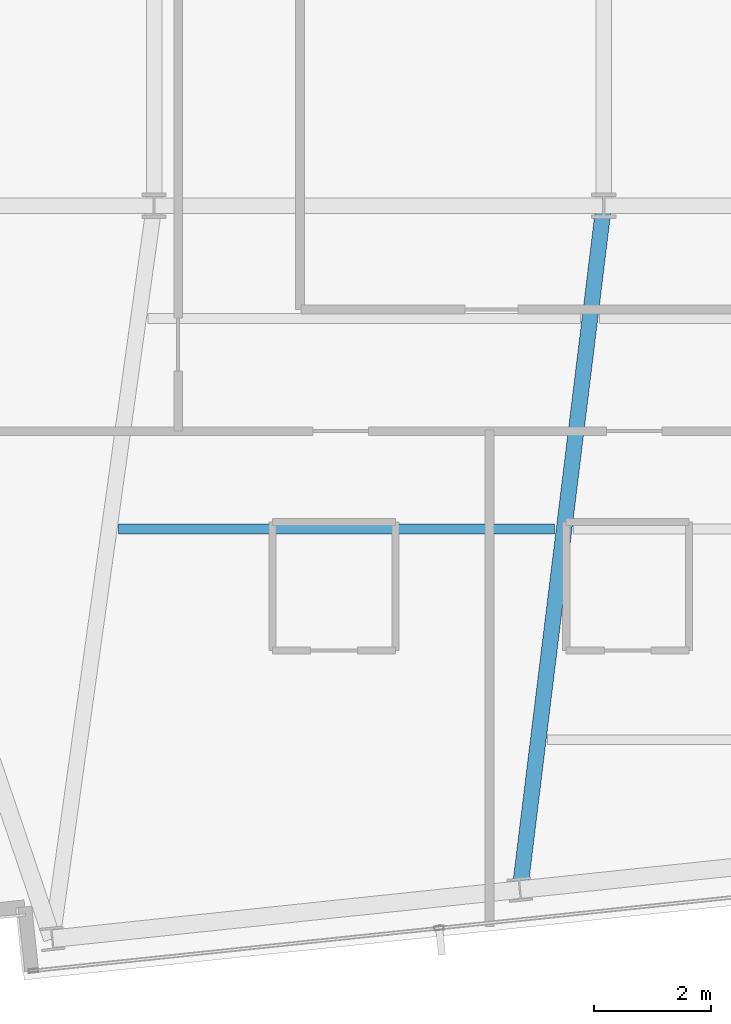
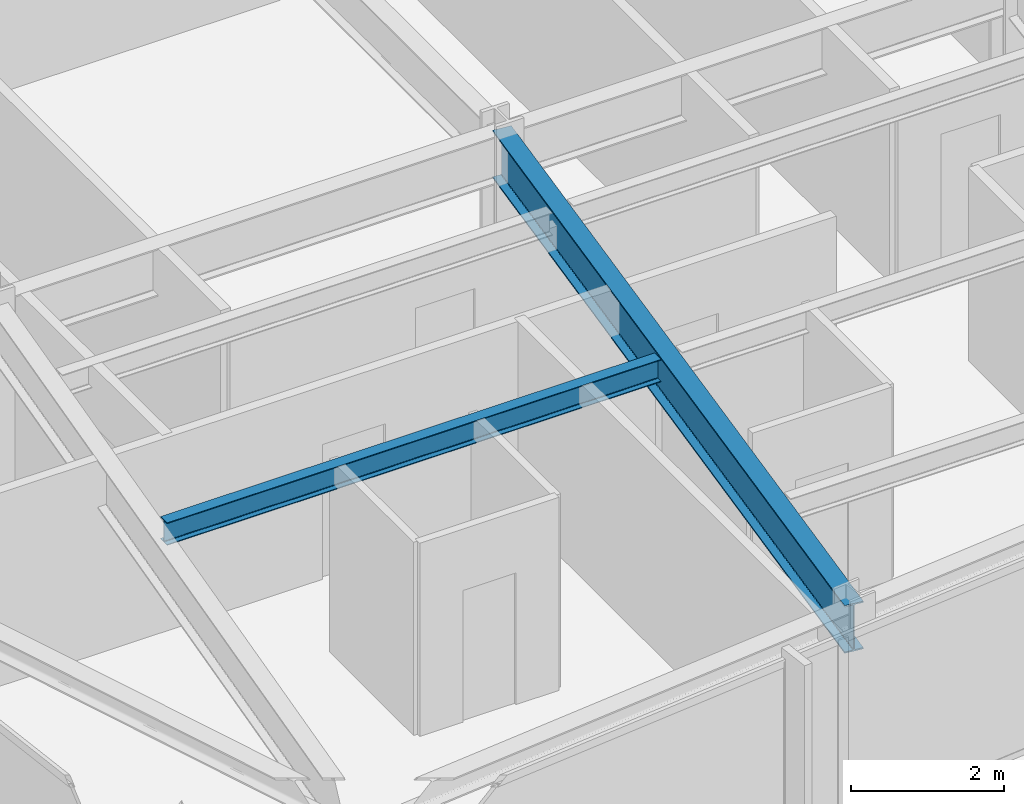
# One storey, part 4 of 33: 2 beams.
"""IFC4 building model written with IfcOpenShell, lengths in metres."""

import ifcopenshell
import ifcopenshell.guid

model = None  # the IFC model being written
_history = None  # IfcOwnerHistory: only IFC2X3 demands one
_inside = {}  # id of a spatial element -> (the spatial element, [elements in it])
_under = {}  # id of a project, library or spatial element -> (it, [spatial elements below it])
_declared = {}  # id of a project -> (the project, [libraries it declares])
_typed = {}  # id of a type object -> (the type object, [elements of that type])
_made_of = {}  # id of a material, layer set ... -> (it, [elements and type objects made of it])


def new_model(schema):
    """Start an empty IFC model of exactly this schema.

    Asked for "IFC4X3", IfcOpenShell would pick the latest addendum, in which some entities
    have other attributes; the version numbers below select the first issue.
    IFC2X3 requires an IfcOwnerHistory on every rooted entity: one is made here for all.
    """
    global model, _history
    if schema == "IFC4X3":
        model = ifcopenshell.file(schema_version=(4, 3, 0, 0))
    else:
        model = ifcopenshell.file(schema=schema)
    _inside.clear()
    _under.clear()
    _declared.clear()
    _typed.clear()
    _made_of.clear()
    _history = None
    if model.schema == "IFC2X3":
        org = make("IfcOrganization", Name="unknown")
        user = make(
            "IfcPersonAndOrganization",
            ThePerson=make("IfcPerson", FamilyName="unknown"),
            TheOrganization=org,
        )
        app = make(
            "IfcApplication",
            ApplicationDeveloper=org,
            Version="unknown",
            ApplicationFullName="unknown",
            ApplicationIdentifier="unknown",
        )
        _history = make(
            "IfcOwnerHistory",
            OwningUser=user,
            OwningApplication=app,
            ChangeAction="ADDED",
            CreationDate=0,
        )
    return model


def make(cls, **values):
    """One entity of the class cls with the attributes given. An attribute that is None is left unset."""
    return model.create_entity(
        cls, **{name: value for name, value in values.items() if value is not None}
    )


def rooted(cls, **values):
    """An entity with a GlobalId (a new one), such as an element, a storey or a relation."""
    return make(cls, GlobalId=ifcopenshell.guid.new(), OwnerHistory=_history, **values)


def si_unit(unit_type, name, prefix=None):
    """IfcSIUnit, for example si_unit("LENGTHUNIT", "METRE", prefix="MILLI")."""
    return make("IfcSIUnit", UnitType=unit_type, Prefix=prefix, Name=name)


def assignment(units):
    """IfcUnitAssignment: the units of a project."""
    return None if units is None else make("IfcUnitAssignment", Units=units)


def point(xyz):
    """IfcCartesianPoint."""
    return None if xyz is None else make("IfcCartesianPoint", Coordinates=xyz)


def direction(xyz):
    """IfcDirection."""
    return None if xyz is None else make("IfcDirection", DirectionRatios=xyz)


def frame(location, z_axis=None, x_axis=None):
    """IfcAxis2Placement3D, a coordinate frame: its origin and axes. An axis left out is left unset."""
    return make(
        "IfcAxis2Placement3D",
        Location=point(location),
        Axis=direction(z_axis),
        RefDirection=direction(x_axis),
    )


def frame_2d(location, x_axis=None):
    """IfcAxis2Placement2D, a coordinate frame in the plane: its origin and x axis."""
    return make(
        "IfcAxis2Placement2D", Location=point(location), RefDirection=direction(x_axis)
    )


def origin():
    """The frame at (0, 0, 0) with its axes left unset."""
    return frame((0.0, 0.0, 0.0))


def origin_2d():
    """The frame at (0, 0) in the plane with its x axis left unset."""
    return frame_2d((0.0, 0.0))


def place(relative_to, where):
    """IfcLocalPlacement: puts the frame where relative to a parent placement (None: the world)."""
    return make(
        "IfcLocalPlacement", PlacementRelTo=relative_to, RelativePlacement=where
    )


def context(
    kind, dimensions, precision=None, world=None, true_north=None, identifier=None
):
    """IfcGeometricRepresentationContext, for example the 3D "Model" context."""
    return make(
        "IfcGeometricRepresentationContext",
        ContextIdentifier=identifier,
        ContextType=kind,
        CoordinateSpaceDimension=dimensions,
        Precision=precision,
        WorldCoordinateSystem=world,
        TrueNorth=true_north,
    )


def subcontext(parent, identifier, kind, view, scale=None):
    """IfcGeometricRepresentationSubContext, for example "Body" below "Model"."""
    return make(
        "IfcGeometricRepresentationSubContext",
        ContextIdentifier=identifier,
        ContextType=kind,
        ParentContext=parent,
        TargetScale=scale,
        TargetView=view,
    )


def project(units=None, contexts=None):
    """IfcProject with its units and contexts."""
    return rooted(
        "IfcProject",
        Name="project",
        RepresentationContexts=contexts,
        UnitsInContext=assignment(units),
    )


def spatial(cls, under=None, at=None, **own):
    """A site, building, storey or space (cls), placed at a placement, below another one or the project."""
    s = rooted(cls, ObjectPlacement=at, **own)
    if under is not None:
        _under.setdefault(under.id(), (under, []))[1].append(s)
    return s


def profile(cls, at=None, kind="AREA", **sizes):
    """A parametric profile (cls). Its sizes go by their IFC names, for example OverallWidth=200.0."""
    return make(cls, ProfileType=kind, Position=at, **sizes)


def i_section(**sizes):
    """IfcIShapeProfileDef."""
    return profile("IfcIShapeProfileDef", **sizes)


def extrude(swept, where, along, depth):
    """IfcExtrudedAreaSolid: the profile swept, set in the frame where, extruded along a direction by depth."""
    return make(
        "IfcExtrudedAreaSolid",
        SweptArea=swept,
        Position=where,
        ExtrudedDirection=direction(along),
        Depth=depth,
    )


def shape(context_of_items, identifier, shape_type, items):
    """IfcShapeRepresentation: the items that make up one representation, for example the "Body"."""
    return make(
        "IfcShapeRepresentation",
        ContextOfItems=context_of_items,
        RepresentationIdentifier=identifier,
        RepresentationType=shape_type,
        Items=items,
    )


def material(Name=None, Category=None):
    """IfcMaterial."""
    return make("IfcMaterial", Name=Name, Category=Category)


def material_profile(
    of_material, cross_section, Name=None, Category=None, Priority=None
):
    """IfcMaterialProfile: a cross section and its material."""
    return make(
        "IfcMaterialProfile",
        Name=Name,
        Material=of_material,
        Profile=cross_section,
        Priority=Priority,
        Category=Category,
    )


def profile_set(profiles, Name=None, composite=None):
    """IfcMaterialProfileSet."""
    return make(
        "IfcMaterialProfileSet",
        Name=Name,
        MaterialProfiles=profiles,
        CompositeProfile=composite,
    )


def made_of(thing, what):
    """Note that an element or type object is made of a material, layer set ...; save() writes the relation."""
    if what is not None:
        _made_of.setdefault(what.id(), (what, []))[1].append(thing)
    return thing


def type_object(cls, material=None, **own):
    """A type object (cls), such as IfcWallType, which elements share."""
    return made_of(rooted(cls, **own), material)


def element(
    cls,
    number,
    at=None,
    inside=None,
    cuts=None,
    type_object=None,
    material=None,
    context=None,
    identifier="Body",
    shape_type=None,
    held_by="IfcProductDefinitionShape",
    body=None,
    shapes=None,
    **own,
):
    """One element of the class cls, such as IfcWall. Its Tag is "e" and its number.

    at: its placement. inside: the storey or other place that contains it. cuts: it is an
    opening in that element (IfcRelVoidsElement). A single representation is given by context,
    identifier, shape_type and body (its items); several are given by shapes. held_by: the class
    of the entity that holds the representations. save() writes the other relations.
    """
    e = rooted(cls, Tag="e%d" % number, ObjectPlacement=at, **own)
    if body is not None:
        shapes = [shape(context, identifier, shape_type, body)]
    if shapes is not None:
        e.Representation = make(held_by, Representations=shapes)
    if inside is not None:
        _inside.setdefault(inside.id(), (inside, []))[1].append(e)
    if cuts is not None:
        rooted(
            "IfcRelVoidsElement", RelatingBuildingElement=cuts, RelatedOpeningElement=e
        )
    if type_object is not None:
        _typed.setdefault(type_object.id(), (type_object, []))[1].append(e)
    return made_of(e, material)


def aggregate(whole, parts):
    """IfcRelAggregates: a whole, such as a stair, and the parts it consists of."""
    return rooted("IfcRelAggregates", RelatingObject=whole, RelatedObjects=parts)


def save(model, path):
    """Write the relations noted so far, then the file.

    IfcRelAggregates (storeys below a building ...), IfcRelContainedInSpatialStructure (elements
    in a storey), IfcRelDefinesByType, IfcRelAssociatesMaterial and IfcRelDeclares: one each for
    every whole, place, type object, material and project.
    """
    for whole, parts in _under.values():
        aggregate(whole, parts)
    for where, things in _inside.values():
        rooted(
            "IfcRelContainedInSpatialStructure",
            RelatedElements=things,
            RelatingStructure=where,
        )
    for kind, things in _typed.values():
        rooted("IfcRelDefinesByType", RelatedObjects=things, RelatingType=kind)
    for what, things in _made_of.values():
        rooted("IfcRelAssociatesMaterial", RelatedObjects=things, RelatingMaterial=what)
    for by, libraries in _declared.values():
        rooted("IfcRelDeclares", RelatingContext=by, RelatedDefinitions=libraries)
    model.write(path)


model = new_model("IFC4")

# Units and contexts
model_context = context("Model", 3, precision=1e-05, world=origin(), true_north=direction((0.0, 1.0)))
body_context = subcontext(model_context, "Body", "Model", "MODEL_VIEW")
ifc_project = project(units=[si_unit("LENGTHUNIT", "METRE"), si_unit("AREAUNIT", "SQUARE_METRE"), si_unit("VOLUMEUNIT", "CUBIC_METRE"), si_unit("PLANEANGLEUNIT", "RADIAN"), si_unit("MASSUNIT", "GRAM", prefix="KILO")], contexts=[model_context])

# Site, building, storey
site_placement = place(None, origin())
site = spatial("IfcSite", under=ifc_project, at=site_placement, CompositionType="ELEMENT")
building_placement = place(site_placement, origin())
building = spatial("IfcBuilding", under=site, at=building_placement, Name="Yelkora Congress Tower", CompositionType="ELEMENT")
storey_placement = place(building_placement, frame((0.0, 0.0, 230.89990234375)))
storey = spatial("IfcBuildingStorey", under=building, at=storey_placement, Name="L64", CompositionType="ELEMENT", Elevation=230.89990234375)

# Beams
ifc_material = material(Name="Steel S355J2", Category="steel")
ifc_material_profile_1 = material_profile(ifc_material, i_section(OverallWidth=0.26708984375, OverallDepth=0.761962890625, WebThickness=0.014404296875, FlangeThickness=0.021484375, FilletRadius=0.01708984375, at=origin_2d()), Name="IPE 750x173")
ifc_profile_set_1 = profile_set([ifc_material_profile_1], Name="Steel S355J2")
beam_type_1 = type_object("IfcBeamType", Name="BM-GIRD-IPE750", PredefinedType="BEAM", material=ifc_profile_set_1)
beam_1_placement = place(storey_placement, frame((29.288330078125, 13.518310546875, 2.69921875), z_axis=(0.121644630436, 0.992573717104, 0.0), x_axis=(-0.992573717104, 0.121644630436, 0.0)))
element("IfcBeam", 1, at=beam_1_placement, inside=storey, type_object=beam_type_1, Name="L64 Primary Frame Girder S02", PredefinedType="BEAM", context=body_context, shape_type="SweptSolid", body=[
    extrude(i_section(OverallWidth=0.26708984375, OverallDepth=0.761962890625, WebThickness=0.014404296875, FlangeThickness=0.021484375, FilletRadius=0.01708984375, at=origin_2d()), origin(), (0.0, 0.0, 1.0), 11.76904296875),
])
ifc_material_profile_2 = material_profile(ifc_material, i_section(OverallWidth=0.169921875, OverallDepth=0.360107421875, WebThickness=0.008056640625, FlangeThickness=0.0126953125, FilletRadius=0.01806640625, at=origin_2d()), Name="IPE 360")
ifc_profile_set_2 = profile_set([ifc_material_profile_2], Name="Steel S355J2")
beam_type_2 = type_object("IfcBeamType", Name="BM-JOIST-IPE360", PredefinedType="JOIST", material=ifc_profile_set_2)
beam_2_placement = place(storey_placement, frame((22.432373046875, 19.678466796875, 2.900146484375), z_axis=(1.0, 0.0, 0.0), x_axis=(0.0, 1.0, 0.0)))
element("IfcBeam", 2, at=beam_2_placement, inside=storey, type_object=beam_type_2, Name="L64 Composite Floor Joist 3", PredefinedType="JOIST", context=body_context, shape_type="SweptSolid", body=[
    extrude(i_section(OverallWidth=0.169921875, OverallDepth=0.360107421875, WebThickness=0.008056640625, FlangeThickness=0.0126953125, FilletRadius=0.01806640625, at=origin_2d()), origin(), (0.0, 0.0, 1.0), 7.450927734375),
])

save(model, "model.ifc")
